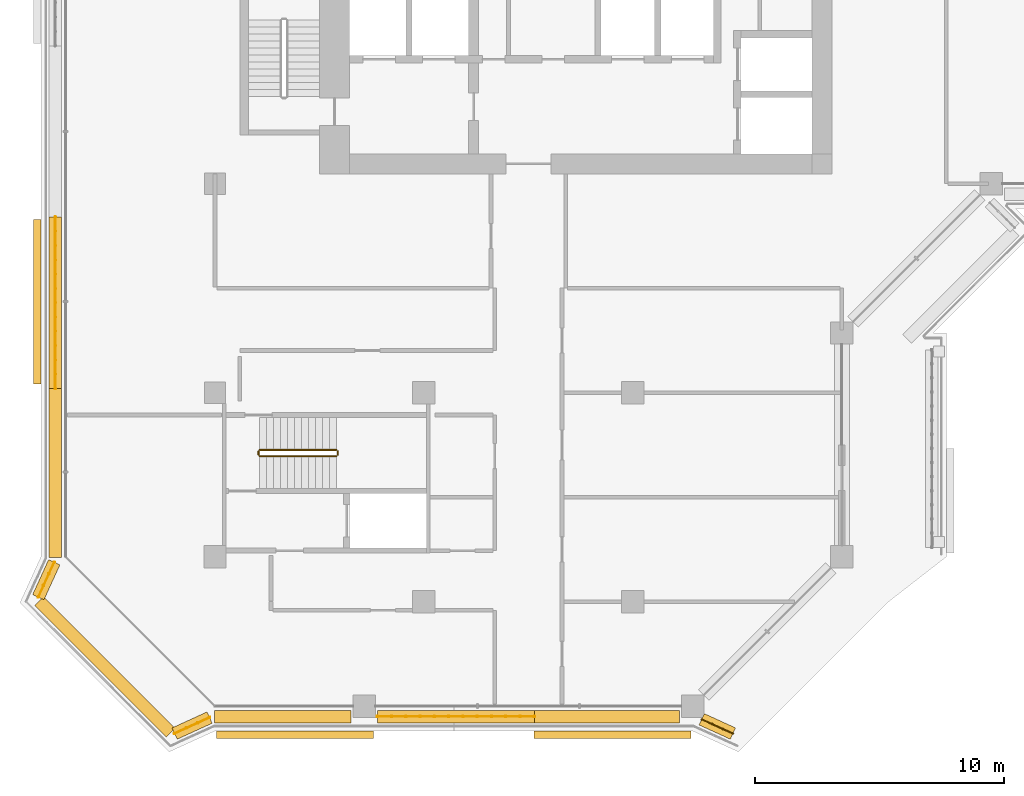
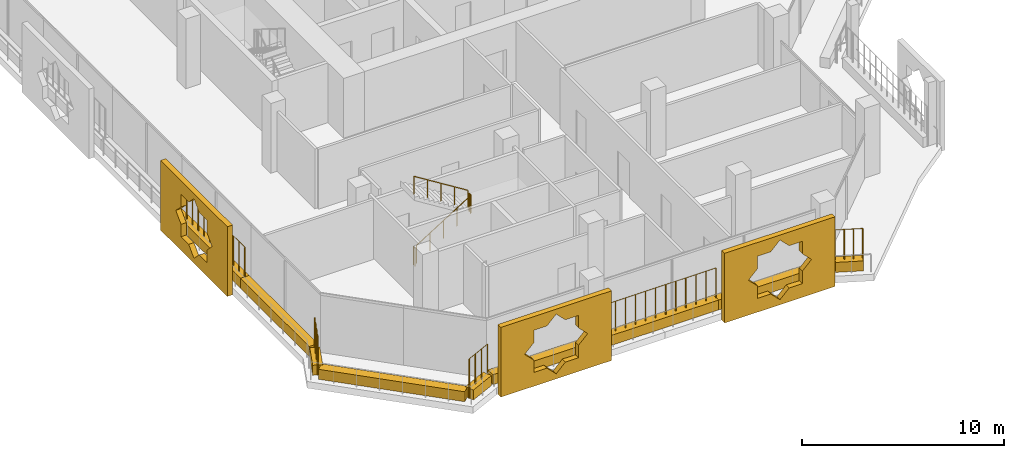
# One storey, part 15 of 21: 12 coverings, 9 railings.
"""IFC4 building model written with IfcOpenShell, lengths in metres."""

import ifcopenshell
import ifcopenshell.guid

model = None  # the IFC model being written
_history = None  # IfcOwnerHistory: only IFC2X3 demands one
_inside = {}  # id of a spatial element -> (the spatial element, [elements in it])
_under = {}  # id of a project, library or spatial element -> (it, [spatial elements below it])
_declared = {}  # id of a project -> (the project, [libraries it declares])
_typed = {}  # id of a type object -> (the type object, [elements of that type])
_made_of = {}  # id of a material, layer set ... -> (it, [elements and type objects made of it])


def new_model(schema):
    """Start an empty IFC model of exactly this schema.

    Asked for "IFC4X3", IfcOpenShell would pick the latest addendum, in which some entities
    have other attributes; the version numbers below select the first issue.
    IFC2X3 requires an IfcOwnerHistory on every rooted entity: one is made here for all.
    """
    global model, _history
    if schema == "IFC4X3":
        model = ifcopenshell.file(schema_version=(4, 3, 0, 0))
    else:
        model = ifcopenshell.file(schema=schema)
    _inside.clear()
    _under.clear()
    _declared.clear()
    _typed.clear()
    _made_of.clear()
    _history = None
    if model.schema == "IFC2X3":
        org = make("IfcOrganization", Name="unknown")
        user = make(
            "IfcPersonAndOrganization",
            ThePerson=make("IfcPerson", FamilyName="unknown"),
            TheOrganization=org,
        )
        app = make(
            "IfcApplication",
            ApplicationDeveloper=org,
            Version="unknown",
            ApplicationFullName="unknown",
            ApplicationIdentifier="unknown",
        )
        _history = make(
            "IfcOwnerHistory",
            OwningUser=user,
            OwningApplication=app,
            ChangeAction="ADDED",
            CreationDate=0,
        )
    return model


def make(cls, **values):
    """One entity of the class cls with the attributes given. An attribute that is None is left unset."""
    return model.create_entity(
        cls, **{name: value for name, value in values.items() if value is not None}
    )


def rooted(cls, **values):
    """An entity with a GlobalId (a new one), such as an element, a storey or a relation."""
    return make(cls, GlobalId=ifcopenshell.guid.new(), OwnerHistory=_history, **values)


def si_unit(unit_type, name, prefix=None):
    """IfcSIUnit, for example si_unit("LENGTHUNIT", "METRE", prefix="MILLI")."""
    return make("IfcSIUnit", UnitType=unit_type, Prefix=prefix, Name=name)


def assignment(units):
    """IfcUnitAssignment: the units of a project."""
    return None if units is None else make("IfcUnitAssignment", Units=units)


def point(xyz):
    """IfcCartesianPoint."""
    return None if xyz is None else make("IfcCartesianPoint", Coordinates=xyz)


def direction(xyz):
    """IfcDirection."""
    return None if xyz is None else make("IfcDirection", DirectionRatios=xyz)


def frame(location, z_axis=None, x_axis=None):
    """IfcAxis2Placement3D, a coordinate frame: its origin and axes. An axis left out is left unset."""
    return make(
        "IfcAxis2Placement3D",
        Location=point(location),
        Axis=direction(z_axis),
        RefDirection=direction(x_axis),
    )


def frame_2d(location, x_axis=None):
    """IfcAxis2Placement2D, a coordinate frame in the plane: its origin and x axis."""
    return make(
        "IfcAxis2Placement2D", Location=point(location), RefDirection=direction(x_axis)
    )


def origin():
    """The frame at (0, 0, 0) with its axes left unset."""
    return frame((0.0, 0.0, 0.0))


def origin_2d():
    """The frame at (0, 0) in the plane with its x axis left unset."""
    return frame_2d((0.0, 0.0))


def place(relative_to, where):
    """IfcLocalPlacement: puts the frame where relative to a parent placement (None: the world)."""
    return make(
        "IfcLocalPlacement", PlacementRelTo=relative_to, RelativePlacement=where
    )


def context(
    kind, dimensions, precision=None, world=None, true_north=None, identifier=None
):
    """IfcGeometricRepresentationContext, for example the 3D "Model" context."""
    return make(
        "IfcGeometricRepresentationContext",
        ContextIdentifier=identifier,
        ContextType=kind,
        CoordinateSpaceDimension=dimensions,
        Precision=precision,
        WorldCoordinateSystem=world,
        TrueNorth=true_north,
    )


def subcontext(parent, identifier, kind, view, scale=None):
    """IfcGeometricRepresentationSubContext, for example "Body" below "Model"."""
    return make(
        "IfcGeometricRepresentationSubContext",
        ContextIdentifier=identifier,
        ContextType=kind,
        ParentContext=parent,
        TargetScale=scale,
        TargetView=view,
    )


def project(units=None, contexts=None):
    """IfcProject with its units and contexts."""
    return rooted(
        "IfcProject",
        Name="project",
        RepresentationContexts=contexts,
        UnitsInContext=assignment(units),
    )


def spatial(cls, under=None, at=None, **own):
    """A site, building, storey or space (cls), placed at a placement, below another one or the project."""
    s = rooted(cls, ObjectPlacement=at, **own)
    if under is not None:
        _under.setdefault(under.id(), (under, []))[1].append(s)
    return s


def polyline(points):
    """IfcPolyline through the points."""
    return make("IfcPolyline", Points=[point(p) for p in points])


def profile(cls, at=None, kind="AREA", **sizes):
    """A parametric profile (cls). Its sizes go by their IFC names, for example OverallWidth=200.0."""
    return make(cls, ProfileType=kind, Position=at, **sizes)


def rectangle(**sizes):
    """IfcRectangleProfileDef."""
    return profile("IfcRectangleProfileDef", **sizes)


def circle(**sizes):
    """IfcCircleProfileDef."""
    return profile("IfcCircleProfileDef", **sizes)


def outline(outer, holes=None, kind="AREA"):
    """IfcArbitraryClosedProfileDef: a profile drawn as a closed curve; with holes, ...WithVoids."""
    if holes is None:
        return make("IfcArbitraryClosedProfileDef", ProfileType=kind, OuterCurve=outer)
    return make(
        "IfcArbitraryProfileDefWithVoids",
        ProfileType=kind,
        OuterCurve=outer,
        InnerCurves=holes,
    )


def extrude(swept, where, along, depth):
    """IfcExtrudedAreaSolid: the profile swept, set in the frame where, extruded along a direction by depth."""
    return make(
        "IfcExtrudedAreaSolid",
        SweptArea=swept,
        Position=where,
        ExtrudedDirection=direction(along),
        Depth=depth,
    )


def shape(context_of_items, identifier, shape_type, items):
    """IfcShapeRepresentation: the items that make up one representation, for example the "Body"."""
    return make(
        "IfcShapeRepresentation",
        ContextOfItems=context_of_items,
        RepresentationIdentifier=identifier,
        RepresentationType=shape_type,
        Items=items,
    )


def material(Name=None, Category=None):
    """IfcMaterial."""
    return make("IfcMaterial", Name=Name, Category=Category)


def material_profile(
    of_material, cross_section, Name=None, Category=None, Priority=None
):
    """IfcMaterialProfile: a cross section and its material."""
    return make(
        "IfcMaterialProfile",
        Name=Name,
        Material=of_material,
        Profile=cross_section,
        Priority=Priority,
        Category=Category,
    )


def profile_set(profiles, Name=None, composite=None):
    """IfcMaterialProfileSet."""
    return make(
        "IfcMaterialProfileSet",
        Name=Name,
        MaterialProfiles=profiles,
        CompositeProfile=composite,
    )


def made_of(thing, what):
    """Note that an element or type object is made of a material, layer set ...; save() writes the relation."""
    if what is not None:
        _made_of.setdefault(what.id(), (what, []))[1].append(thing)
    return thing


def type_object(cls, material=None, **own):
    """A type object (cls), such as IfcWallType, which elements share."""
    return made_of(rooted(cls, **own), material)


def element(
    cls,
    number,
    at=None,
    inside=None,
    cuts=None,
    type_object=None,
    material=None,
    context=None,
    identifier="Body",
    shape_type=None,
    held_by="IfcProductDefinitionShape",
    body=None,
    shapes=None,
    **own,
):
    """One element of the class cls, such as IfcWall. Its Tag is "e" and its number.

    at: its placement. inside: the storey or other place that contains it. cuts: it is an
    opening in that element (IfcRelVoidsElement). A single representation is given by context,
    identifier, shape_type and body (its items); several are given by shapes. held_by: the class
    of the entity that holds the representations. save() writes the other relations.
    """
    e = rooted(cls, Tag="e%d" % number, ObjectPlacement=at, **own)
    if body is not None:
        shapes = [shape(context, identifier, shape_type, body)]
    if shapes is not None:
        e.Representation = make(held_by, Representations=shapes)
    if inside is not None:
        _inside.setdefault(inside.id(), (inside, []))[1].append(e)
    if cuts is not None:
        rooted(
            "IfcRelVoidsElement", RelatingBuildingElement=cuts, RelatedOpeningElement=e
        )
    if type_object is not None:
        _typed.setdefault(type_object.id(), (type_object, []))[1].append(e)
    return made_of(e, material)


def aggregate(whole, parts):
    """IfcRelAggregates: a whole, such as a stair, and the parts it consists of."""
    return rooted("IfcRelAggregates", RelatingObject=whole, RelatedObjects=parts)


def save(model, path):
    """Write the relations noted so far, then the file.

    IfcRelAggregates (storeys below a building ...), IfcRelContainedInSpatialStructure (elements
    in a storey), IfcRelDefinesByType, IfcRelAssociatesMaterial and IfcRelDeclares: one each for
    every whole, place, type object, material and project.
    """
    for whole, parts in _under.values():
        aggregate(whole, parts)
    for where, things in _inside.values():
        rooted(
            "IfcRelContainedInSpatialStructure",
            RelatedElements=things,
            RelatingStructure=where,
        )
    for kind, things in _typed.values():
        rooted("IfcRelDefinesByType", RelatedObjects=things, RelatingType=kind)
    for what, things in _made_of.values():
        rooted("IfcRelAssociatesMaterial", RelatedObjects=things, RelatingMaterial=what)
    for by, libraries in _declared.values():
        rooted("IfcRelDeclares", RelatingContext=by, RelatedDefinitions=libraries)
    model.write(path)


model = new_model("IFC4")

# Units and contexts
model_context = context("Model", 3, precision=1e-05, world=origin(), true_north=direction((0.0, 1.0)))
body_context = subcontext(model_context, "Body", "Model", "MODEL_VIEW")
ifc_project = project(units=[si_unit("LENGTHUNIT", "METRE"), si_unit("AREAUNIT", "SQUARE_METRE"), si_unit("VOLUMEUNIT", "CUBIC_METRE"), si_unit("PLANEANGLEUNIT", "RADIAN"), si_unit("MASSUNIT", "GRAM", prefix="KILO")], contexts=[model_context])

# Site, building, storey
site_placement = place(None, origin())
site = spatial("IfcSite", under=ifc_project, at=site_placement, CompositionType="ELEMENT")
building_placement = place(site_placement, origin())
building = spatial("IfcBuilding", under=site, at=building_placement, Name="Kawkab Arch Medical Tower", CompositionType="ELEMENT")
storey_placement = place(building_placement, frame((0.0, 0.0, 234.800048828125)))
storey = spatial("IfcBuildingStorey", under=building, at=storey_placement, Name="L54", CompositionType="ELEMENT", Elevation=234.800048828125)

# Coverings
ifc_material_1 = material(Name="Bronze anodised aluminium mashrabiya panel, eight-point star pattern", Category="aluminium")
ifc_material_profile_1 = material_profile(ifc_material_1, outline(polyline([(-3.14990234375, -2.10009765625), (3.14990234375, -2.10009765625), (3.14990234375, 2.10009765625), (-3.14990234375, 2.10009765625), (-3.14990234375, -2.10009765625)]), holes=[polyline([(1.800048828125, 0.0), (1.272705078125, 0.527099609375), (1.272705078125, 1.272705078125), (0.527099609375, 1.272705078125), (0.0, 1.800048828125), (-0.527099609375, 1.272705078125), (-1.272705078125, 1.272705078125), (-1.272705078125, 0.527099609375), (-1.800048828125, 0.0), (-1.272705078125, -0.527099609375), (-1.272705078125, -1.272705078125), (-0.527099609375, -1.272705078125), (0.0, -1.800048828125), (0.527099609375, -1.272705078125), (1.272705078125, -1.272705078125), (1.272705078125, -0.527099609375), (1.800048828125, 0.0)])]), Name="Mashrabiya panel 6300x4200")
ifc_profile_set_1 = profile_set([ifc_material_profile_1], Name="Bronze anodised aluminium mashrabiya panel, eight-point star pattern")
covering_type_1 = type_object("IfcCoveringType", Name="Mashrabiya panel 6300 x 4200", PredefinedType="USERDEFINED", material=ifc_profile_set_1)
for number, where, z_axis, x_axis, name in (
    (1, (15.9814453125, -47.199951171875, 1.699951171875), (0.0, -1.0, 0.0), (1.0, 0.0, 0.0), "Mashrabiya panel L54.LOG-01-01.1"),
    (2, (3.218505859375, -47.199951171875, 1.699951171875), (0.0, -1.0, 0.0), (1.0, 0.0, 0.0), "Mashrabiya panel L54.LOG-01-01.2"),
):
    element("IfcCovering", number, at=place(storey_placement, frame(where, z_axis=z_axis, x_axis=x_axis)), inside=storey, type_object=covering_type_1, Name=name, ObjectType="SCREEN", PredefinedType="USERDEFINED", context=body_context, shape_type="SweptSolid", body=[
        extrude(outline(polyline([(-3.14990234375, -2.10009765625), (3.14990234375, -2.10009765625), (3.14990234375, 2.10009765625), (-3.14990234375, 2.10009765625), (-3.14990234375, -2.10009765625)]), holes=[polyline([(1.800048828125, 0.0), (1.272705078125, 0.527099609375), (1.272705078125, 1.272705078125), (0.527099609375, 1.272705078125), (0.0, 1.800048828125), (-0.527099609375, 1.272705078125), (-1.272705078125, 1.272705078125), (-1.272705078125, 0.527099609375), (-1.800048828125, 0.0), (-1.272705078125, -0.527099609375), (-1.272705078125, -1.272705078125), (-0.527099609375, -1.272705078125), (0.0, -1.800048828125), (0.527099609375, -1.272705078125), (1.272705078125, -1.272705078125), (1.272705078125, -0.527099609375), (1.800048828125, 0.0)])]), origin(), (0.0, 0.0, 1.0), 0.300048828125),
    ])
ifc_material_2 = material(Name="Bronze anodised aluminium mashrabiya panel, eight-point star pattern", Category="aluminium")
ifc_material_profile_2 = material_profile(ifc_material_2, outline(polyline([(-3.300048828125, -2.10009765625), (3.300048828125, -2.10009765625), (3.300048828125, 2.10009765625), (-3.300048828125, 2.10009765625), (-3.300048828125, -2.10009765625)]), holes=[polyline([(1.800048828125, 0.0), (1.272705078125, 0.527099609375), (1.272705078125, 1.272705078125), (0.527099609375, 1.272705078125), (0.0, 1.800048828125), (-0.527099609375, 1.272705078125), (-1.272705078125, 1.272705078125), (-1.272705078125, 0.527099609375), (-1.800048828125, 0.0), (-1.272705078125, -0.527099609375), (-1.272705078125, -1.272705078125), (-0.527099609375, -1.272705078125), (0.0, -1.800048828125), (0.527099609375, -1.272705078125), (1.272705078125, -1.272705078125), (1.272705078125, -0.527099609375), (1.800048828125, 0.0)])]), Name="Mashrabiya panel 6600x4200")
ifc_profile_set_2 = profile_set([ifc_material_profile_2], Name="Bronze anodised aluminium mashrabiya panel, eight-point star pattern")
covering_type_2 = type_object("IfcCoveringType", Name="Mashrabiya panel 6600 x 4200", PredefinedType="USERDEFINED", material=ifc_profile_set_2)
covering_1_placement = place(storey_placement, frame((-7.0, -29.94091796875, 1.699951171875), z_axis=(-1.0, 0.0, 0.0), x_axis=(0.0, -1.0, 0.0)))
element("IfcCovering", 3, at=covering_1_placement, inside=storey, type_object=covering_type_2, Name="Mashrabiya panel L54.LOG-01-01.3", ObjectType="SCREEN", PredefinedType="USERDEFINED", context=body_context, shape_type="SweptSolid", body=[
    extrude(outline(polyline([(-3.300048828125, -2.10009765625), (3.300048828125, -2.10009765625), (3.300048828125, 2.10009765625), (-3.300048828125, 2.10009765625), (-3.300048828125, -2.10009765625)]), holes=[polyline([(1.800048828125, 0.0), (1.272705078125, 0.527099609375), (1.272705078125, 1.272705078125), (0.527099609375, 1.272705078125), (0.0, 1.800048828125), (-0.527099609375, 1.272705078125), (-1.272705078125, 1.272705078125), (-1.272705078125, 0.527099609375), (-1.800048828125, 0.0), (-1.272705078125, -0.527099609375), (-1.272705078125, -1.272705078125), (-0.527099609375, -1.272705078125), (0.0, -1.800048828125), (0.527099609375, -1.272705078125), (1.272705078125, -1.272705078125), (1.272705078125, -0.527099609375), (1.800048828125, 0.0)])]), origin(), (0.0, 0.0, 1.0), 0.300048828125),
])
ifc_material_3 = material(Name="Planting soil in a precast trough", Category="concrete")
ifc_material_profile_3 = material_profile(ifc_material_3, rectangle(XDim=0.5, YDim=0.60009765625, at=origin_2d()), Name="Trough 500x600")
ifc_profile_set_3 = profile_set([ifc_material_profile_3], Name="Planting soil in a precast trough")
covering_type_3 = type_object("IfcCoveringType", Name="Planter trough 500 x 600", PredefinedType="USERDEFINED", material=ifc_profile_set_3)
covering_2_placement = place(storey_placement, frame((20.821044921875, -47.302001953125, 0.300048828125), z_axis=(-0.909831953447, 0.41497688669, 0.0), x_axis=(-0.41497688669, -0.909831953447, 0.0)))
element("IfcCovering", 4, at=covering_2_placement, inside=storey, type_object=covering_type_3, Name="Planter L54.LOG-01-01.1", ObjectType="PLANTER", PredefinedType="USERDEFINED", context=body_context, shape_type="SweptSolid", body=[
    extrude(rectangle(XDim=0.5, YDim=0.60009765625, at=origin_2d()), origin(), (0.0, 0.0, 1.0), 1.37841796875),
])
covering_3_placement = place(storey_placement, frame((18.669921875, -46.6201171875, 0.300048828125), z_axis=(-1.0, 0.0, 0.0), x_axis=(0.0, -1.0, 0.0)))
element("IfcCovering", 5, at=covering_3_placement, inside=storey, type_object=covering_type_3, Name="Planter L54.LOG-01-01.2", ObjectType="PLANTER", PredefinedType="USERDEFINED", context=body_context, shape_type="SweptSolid", body=[
    extrude(rectangle(XDim=0.5, YDim=0.60009765625, at=origin_2d()), origin(), (0.0, 0.0, 1.0), 5.827880859375),
])
covering_4_placement = place(storey_placement, frame((12.842041015625, -46.6201171875, 0.300048828125), z_axis=(-1.0, 0.0, 0.0), x_axis=(0.0, -1.0, 0.0)))
element("IfcCovering", 6, at=covering_4_placement, inside=storey, type_object=covering_type_3, Name="Planter L54.LOG-01-01.3", ObjectType="PLANTER", PredefinedType="USERDEFINED", context=body_context, shape_type="SweptSolid", body=[
    extrude(rectangle(XDim=0.5, YDim=0.60009765625, at=origin_2d()), origin(), (0.0, 0.0, 1.0), 6.31201171875),
])
covering_5_placement = place(storey_placement, frame((5.469970703125, -46.6201171875, 0.300048828125), z_axis=(-1.0, 0.0, 0.0), x_axis=(0.0, -1.0, 0.0)))
element("IfcCovering", 7, at=covering_5_placement, inside=storey, type_object=covering_type_3, Name="Planter L54.LOG-01-01.4", ObjectType="PLANTER", PredefinedType="USERDEFINED", context=body_context, shape_type="SweptSolid", body=[
    extrude(rectangle(XDim=0.5, YDim=0.60009765625, at=origin_2d()), origin(), (0.0, 0.0, 1.0), 5.495849609375),
])
covering_6_placement = place(storey_placement, frame((-0.217041015625, -46.660888671875, 0.300048828125), z_axis=(-0.909655525109, -0.415363486165, 0.0), x_axis=(0.415363486165, -0.909655525109, 0.0)))
element("IfcCovering", 8, at=covering_6_placement, inside=storey, type_object=covering_type_3, Name="Planter L54.LOG-01-01.5", ObjectType="PLANTER", PredefinedType="USERDEFINED", context=body_context, shape_type="SweptSolid", body=[
    extrude(rectangle(XDim=0.5, YDim=0.60009765625, at=origin_2d()), origin(), (0.0, 0.0, 1.0), 1.54345703125),
])
covering_7_placement = place(storey_placement, frame((-1.782958984375, -47.27294921875, 0.300048828125), z_axis=(-0.707106781187, 0.707106781187, 0.0), x_axis=(-0.707106781187, -0.707106781187, 0.0)))
element("IfcCovering", 9, at=covering_7_placement, inside=storey, type_object=covering_type_3, Name="Planter L54.LOG-01-01.6", ObjectType="PLANTER", PredefinedType="USERDEFINED", context=body_context, shape_type="SweptSolid", body=[
    extrude(rectangle(XDim=0.5, YDim=0.60009765625, at=origin_2d()), origin(), (0.0, 0.0, 1.0), 7.481201171875),
])
covering_8_placement = place(storey_placement, frame((-7.10205078125, -41.821044921875, 0.300048828125), z_axis=(0.415363486165, 0.909655525109, 0.0), x_axis=(-0.909655525109, 0.415363486165, 0.0)))
element("IfcCovering", 10, at=covering_8_placement, inside=storey, type_object=covering_type_3, Name="Planter L54.LOG-01-01.7", ObjectType="PLANTER", PredefinedType="USERDEFINED", context=body_context, shape_type="SweptSolid", body=[
    extrude(rectangle(XDim=0.5, YDim=0.60009765625, at=origin_2d()), origin(), (0.0, 0.0, 1.0), 1.54345703125),
])
covering_9_placement = place(storey_placement, frame((-6.419921875, -40.22607421875, 0.300048828125), z_axis=(0.0, 1.0, 0.0), x_axis=(-1.0, 0.0, 0.0)))
element("IfcCovering", 11, at=covering_9_placement, inside=storey, type_object=covering_type_3, Name="Planter L54.LOG-01-01.8", ObjectType="PLANTER", PredefinedType="USERDEFINED", context=body_context, shape_type="SweptSolid", body=[
    extrude(rectangle(XDim=0.5, YDim=0.60009765625, at=origin_2d()), origin(), (0.0, 0.0, 1.0), 6.7900390625),
])
covering_10_placement = place(storey_placement, frame((-6.419921875, -33.43603515625, 0.300048828125), z_axis=(0.0, 1.0, 0.0), x_axis=(-1.0, 0.0, 0.0)))
element("IfcCovering", 12, at=covering_10_placement, inside=storey, type_object=covering_type_3, Name="Planter L54.LOG-01-01.9", ObjectType="PLANTER", PredefinedType="USERDEFINED", context=body_context, shape_type="SweptSolid", body=[
    extrude(rectangle(XDim=0.5, YDim=0.60009765625, at=origin_2d()), origin(), (0.0, 0.0, 1.0), 6.89111328125),
])

# Railings
ifc_material_4 = material(Name="Bronze anodised aluminium trellis for climbing plants", Category="aluminium")
railing_type_1 = type_object("IfcRailingType", Name="Planting trellis 2400", PredefinedType="USERDEFINED", material=ifc_material_4)
railing_1_placement = place(storey_placement, frame((20.821044921875, -47.302001953125, 0.0)))
element("IfcRailing", 13, at=railing_1_placement, inside=storey, type_object=railing_type_1, Name="Planting trellis L54.LOG-01-01.1", ObjectType="TRELLIS", PredefinedType="USERDEFINED", context=body_context, shape_type="SweptSolid", body=[
    extrude(circle(Radius=0.01513671875, at=origin_2d()), frame((0.0, 0.0, 2.384765625), z_axis=(-0.909831953447, 0.41497688669, 0.0), x_axis=(-0.41497688669, -0.909831953447, 0.0)), (0.0, 0.0, 1.0), 1.37841796875),
    extrude(circle(Radius=0.030029296875, at=origin_2d()), origin(), (0.0, 0.0, 1.0), 2.369873046875),
    extrude(circle(Radius=0.030029296875, at=origin_2d()), frame((-0.41796875, 0.190673828125, 0.0)), (0.0, 0.0, 1.0), 2.369873046875),
    extrude(circle(Radius=0.030029296875, at=origin_2d()), frame((-0.836181640625, 0.38134765625, 0.0)), (0.0, 0.0, 1.0), 2.369873046875),
    extrude(circle(Radius=0.030029296875, at=origin_2d()), frame((-1.254150390625, 0.572021484375, 0.0)), (0.0, 0.0, 1.0), 2.369873046875),
])
railing_2_placement = place(storey_placement, frame((12.842041015625, -46.6201171875, 0.0)))
element("IfcRailing", 14, at=railing_2_placement, inside=storey, type_object=railing_type_1, Name="Planting trellis L54.LOG-01-01.3", ObjectType="TRELLIS", PredefinedType="USERDEFINED", context=body_context, shape_type="SweptSolid", body=[
    extrude(circle(Radius=0.01513671875, at=origin_2d()), frame((0.0, 0.0, 2.384765625), z_axis=(-1.0, 0.0, 0.0), x_axis=(0.0, -1.0, 0.0)), (0.0, 0.0, 1.0), 6.31201171875),
    extrude(circle(Radius=0.030029296875, at=origin_2d()), origin(), (0.0, 0.0, 1.0), 2.369873046875),
    extrude(circle(Radius=0.030029296875, at=origin_2d()), frame((-0.57373046875, 0.0, 0.0)), (0.0, 0.0, 1.0), 2.369873046875),
    extrude(circle(Radius=0.030029296875, at=origin_2d()), frame((-1.147705078125, 0.0, 0.0)), (0.0, 0.0, 1.0), 2.369873046875),
    extrude(circle(Radius=0.030029296875, at=origin_2d()), frame((-1.721435546875, 0.0, 0.0)), (0.0, 0.0, 1.0), 2.369873046875),
    extrude(circle(Radius=0.030029296875, at=origin_2d()), frame((-2.295166015625, 0.0, 0.0)), (0.0, 0.0, 1.0), 2.369873046875),
    extrude(circle(Radius=0.030029296875, at=origin_2d()), frame((-2.869140625, 0.0, 0.0)), (0.0, 0.0, 1.0), 2.369873046875),
    extrude(circle(Radius=0.030029296875, at=origin_2d()), frame((-3.44287109375, 0.0, 0.0)), (0.0, 0.0, 1.0), 2.369873046875),
    extrude(circle(Radius=0.030029296875, at=origin_2d()), frame((-4.016845703125, 0.0, 0.0)), (0.0, 0.0, 1.0), 2.369873046875),
    extrude(circle(Radius=0.030029296875, at=origin_2d()), frame((-4.590576171875, 0.0, 0.0)), (0.0, 0.0, 1.0), 2.369873046875),
    extrude(circle(Radius=0.030029296875, at=origin_2d()), frame((-5.164306640625, 0.0, 0.0)), (0.0, 0.0, 1.0), 2.369873046875),
    extrude(circle(Radius=0.030029296875, at=origin_2d()), frame((-5.73828125, 0.0, 0.0)), (0.0, 0.0, 1.0), 2.369873046875),
    extrude(circle(Radius=0.030029296875, at=origin_2d()), frame((-6.31201171875, 0.0, 0.0)), (0.0, 0.0, 1.0), 2.369873046875),
])
railing_3_placement = place(storey_placement, frame((-0.217041015625, -46.660888671875, 0.0)))
element("IfcRailing", 15, at=railing_3_placement, inside=storey, type_object=railing_type_1, Name="Planting trellis L54.LOG-01-01.5", ObjectType="TRELLIS", PredefinedType="USERDEFINED", context=body_context, shape_type="SweptSolid", body=[
    extrude(circle(Radius=0.01513671875, at=origin_2d()), frame((0.0, 0.0, 2.384765625), z_axis=(-0.909655525109, -0.415363486165, 0.0), x_axis=(0.415363486165, -0.909655525109, 0.0)), (0.0, 0.0, 1.0), 1.54345703125),
    extrude(circle(Radius=0.030029296875, at=origin_2d()), origin(), (0.0, 0.0, 1.0), 2.369873046875),
    extrude(circle(Radius=0.030029296875, at=origin_2d()), frame((-0.468017578125, -0.213623046875, 0.0)), (0.0, 0.0, 1.0), 2.369873046875),
    extrude(circle(Radius=0.030029296875, at=origin_2d()), frame((-0.93603515625, -0.427490234375, 0.0)), (0.0, 0.0, 1.0), 2.369873046875),
    extrude(circle(Radius=0.030029296875, at=origin_2d()), frame((-1.404052734375, -0.64111328125, 0.0)), (0.0, 0.0, 1.0), 2.369873046875),
])
railing_4_placement = place(storey_placement, frame((-7.10205078125, -41.821044921875, 0.0)))
element("IfcRailing", 16, at=railing_4_placement, inside=storey, type_object=railing_type_1, Name="Planting trellis L54.LOG-01-01.7", ObjectType="TRELLIS", PredefinedType="USERDEFINED", context=body_context, shape_type="SweptSolid", body=[
    extrude(circle(Radius=0.01513671875, at=origin_2d()), frame((0.0, 0.0, 2.384765625), z_axis=(0.415363486165, 0.909655525109, 0.0), x_axis=(-0.909655525109, 0.415363486165, 0.0)), (0.0, 0.0, 1.0), 1.54345703125),
    extrude(circle(Radius=0.030029296875, at=origin_2d()), origin(), (0.0, 0.0, 1.0), 2.369873046875),
    extrude(circle(Radius=0.030029296875, at=origin_2d()), frame((0.213623046875, 0.468017578125, 0.0)), (0.0, 0.0, 1.0), 2.369873046875),
    extrude(circle(Radius=0.030029296875, at=origin_2d()), frame((0.427490234375, 0.93603515625, 0.0)), (0.0, 0.0, 1.0), 2.369873046875),
    extrude(circle(Radius=0.030029296875, at=origin_2d()), frame((0.64111328125, 1.404052734375, 0.0)), (0.0, 0.0, 1.0), 2.369873046875),
])
railing_5_placement = place(storey_placement, frame((-6.419921875, -33.43603515625, 0.0)))
element("IfcRailing", 17, at=railing_5_placement, inside=storey, type_object=railing_type_1, Name="Planting trellis L54.LOG-01-01.9", ObjectType="TRELLIS", PredefinedType="USERDEFINED", context=body_context, shape_type="SweptSolid", body=[
    extrude(circle(Radius=0.01513671875, at=origin_2d()), frame((0.0, 0.0, 2.384765625), z_axis=(0.0, 1.0, 0.0), x_axis=(-1.0, 0.0, 0.0)), (0.0, 0.0, 1.0), 6.89111328125),
    extrude(circle(Radius=0.030029296875, at=origin_2d()), origin(), (0.0, 0.0, 1.0), 2.369873046875),
    extrude(circle(Radius=0.030029296875, at=origin_2d()), frame((0.0, 0.57421875, 0.0)), (0.0, 0.0, 1.0), 2.369873046875),
    extrude(circle(Radius=0.030029296875, at=origin_2d()), frame((0.0, 1.1484375, 0.0)), (0.0, 0.0, 1.0), 2.369873046875),
    extrude(circle(Radius=0.030029296875, at=origin_2d()), frame((0.0, 1.72265625, 0.0)), (0.0, 0.0, 1.0), 2.369873046875),
    extrude(circle(Radius=0.030029296875, at=origin_2d()), frame((0.0, 2.297119140625, 0.0)), (0.0, 0.0, 1.0), 2.369873046875),
    extrude(circle(Radius=0.030029296875, at=origin_2d()), frame((0.0, 2.871337890625, 0.0)), (0.0, 0.0, 1.0), 2.369873046875),
    extrude(circle(Radius=0.030029296875, at=origin_2d()), frame((0.0, 3.445556640625, 0.0)), (0.0, 0.0, 1.0), 2.369873046875),
    extrude(circle(Radius=0.030029296875, at=origin_2d()), frame((0.0, 4.019775390625, 0.0)), (0.0, 0.0, 1.0), 2.369873046875),
    extrude(circle(Radius=0.030029296875, at=origin_2d()), frame((0.0, 4.593994140625, 0.0)), (0.0, 0.0, 1.0), 2.369873046875),
    extrude(circle(Radius=0.030029296875, at=origin_2d()), frame((0.0, 5.16845703125, 0.0)), (0.0, 0.0, 1.0), 2.369873046875),
    extrude(circle(Radius=0.030029296875, at=origin_2d()), frame((0.0, 5.74267578125, 0.0)), (0.0, 0.0, 1.0), 2.369873046875),
    extrude(circle(Radius=0.030029296875, at=origin_2d()), frame((0.0, 6.31689453125, 0.0)), (0.0, 0.0, 1.0), 2.369873046875),
    extrude(circle(Radius=0.030029296875, at=origin_2d()), frame((0.0, 6.89111328125, 0.0)), (0.0, 0.0, 1.0), 2.369873046875),
])
ifc_material_5 = material(Name="Stainless steel", Category="steel")
railing_type_2 = type_object("IfcRailingType", Name="Stair guard 1100", PredefinedType="GUARDRAIL", material=ifc_material_5)
railing_6_placement = place(storey_placement, frame((1.800048828125, -36.14990234375, 0.175048828125)))
element("IfcRailing", 18, at=railing_6_placement, inside=storey, type_object=railing_type_2, Name="L54 ST6 stair guard 1", PredefinedType="GUARDRAIL", context=body_context, shape_type="SweptSolid", body=[
    extrude(circle(Radius=0.02392578125, at=origin_2d()), frame((0.0, 0.0, 1.076171875), z_axis=(0.848009633417, 0.0, 0.529980812513), x_axis=(0.0, 1.0, 0.0)), (0.0, 0.0, 1.0), 3.6318359375),
    extrude(circle(Radius=0.02099609375, at=origin_2d()), origin(), (0.0, 0.0, 1.0), 1.052001953125),
    extrude(circle(Radius=0.02099609375, at=origin_2d()), frame((0.77001953125, 0.0, 0.481201171875)), (0.0, 0.0, 1.0), 1.052001953125),
    extrude(circle(Radius=0.02099609375, at=origin_2d()), frame((1.5400390625, 0.0, 0.96240234375)), (0.0, 0.0, 1.0), 1.052001953125),
    extrude(circle(Radius=0.02099609375, at=origin_2d()), frame((2.309814453125, 0.0, 1.443603515625)), (0.0, 0.0, 1.0), 1.052001953125),
    extrude(circle(Radius=0.02099609375, at=origin_2d()), frame((3.079833984375, 0.0, 1.9248046875)), (0.0, 0.0, 1.0), 1.052001953125),
])
railing_7_placement = place(storey_placement, frame((4.929931640625, -36.10009765625, 2.099853515625)))
element("IfcRailing", 19, at=railing_7_placement, inside=storey, type_object=railing_type_2, Name="L54 ST6 stair guard 2", PredefinedType="GUARDRAIL", context=body_context, shape_type="SweptSolid", body=[
    extrude(circle(Radius=0.02392578125, at=origin_2d()), frame((0.0, 0.0, 1.076171875), z_axis=(0.0, 1.0, 0.0), x_axis=(-1.0, 0.0, 0.0)), (0.0, 0.0, 1.0), 0.150146484375),
    extrude(circle(Radius=0.02099609375, at=origin_2d()), origin(), (0.0, 0.0, 1.0), 1.052001953125),
    extrude(circle(Radius=0.02099609375, at=origin_2d()), frame((0.0, 0.150146484375, 0.0)), (0.0, 0.0, 1.0), 1.052001953125),
])
railing_8_placement = place(storey_placement, frame((4.8798828125, -35.89990234375, 2.27490234375)))
element("IfcRailing", 20, at=railing_8_placement, inside=storey, type_object=railing_type_2, Name="L54 ST6 stair guard 3", PredefinedType="GUARDRAIL", context=body_context, shape_type="SweptSolid", body=[
    extrude(circle(Radius=0.02392578125, at=origin_2d()), frame((0.0, 0.0, 1.076171875), z_axis=(-0.847979421464, 0.0, 0.530029150871), x_axis=(0.0, -1.0, 0.0)), (0.0, 0.0, 1.0), 3.632080078125),
    extrude(circle(Radius=0.02099609375, at=origin_2d()), origin(), (0.0, 0.0, 1.0), 1.052001953125),
    extrude(circle(Radius=0.02099609375, at=origin_2d()), frame((-0.77001953125, 0.0, 0.481201171875)), (0.0, 0.0, 1.0), 1.052001953125),
    extrude(circle(Radius=0.02099609375, at=origin_2d()), frame((-1.5400390625, 0.0, 0.96240234375)), (0.0, 0.0, 1.0), 1.052001953125),
    extrude(circle(Radius=0.02099609375, at=origin_2d()), frame((-2.309814453125, 0.0, 1.44384765625)), (0.0, 0.0, 1.0), 1.052001953125),
    extrude(circle(Radius=0.02099609375, at=origin_2d()), frame((-3.079833984375, 0.0, 1.925048828125)), (0.0, 0.0, 1.0), 1.052001953125),
])
railing_9_placement = place(storey_placement, frame((1.75, -36.10009765625, 0.0)))
element("IfcRailing", 21, at=railing_9_placement, inside=storey, type_object=railing_type_2, Name="L54 ST6 stair guard 4", PredefinedType="GUARDRAIL", context=body_context, shape_type="SweptSolid", body=[
    extrude(circle(Radius=0.02392578125, at=origin_2d()), frame((0.0, 0.0, 1.076171875), z_axis=(0.0, 1.0, 0.0), x_axis=(-1.0, 0.0, 0.0)), (0.0, 0.0, 1.0), 0.150146484375),
    extrude(circle(Radius=0.02099609375, at=origin_2d()), origin(), (0.0, 0.0, 1.0), 1.052001953125),
    extrude(circle(Radius=0.02099609375, at=origin_2d()), frame((0.0, 0.150146484375, 0.0)), (0.0, 0.0, 1.0), 1.052001953125),
])

save(model, "model.ifc")
